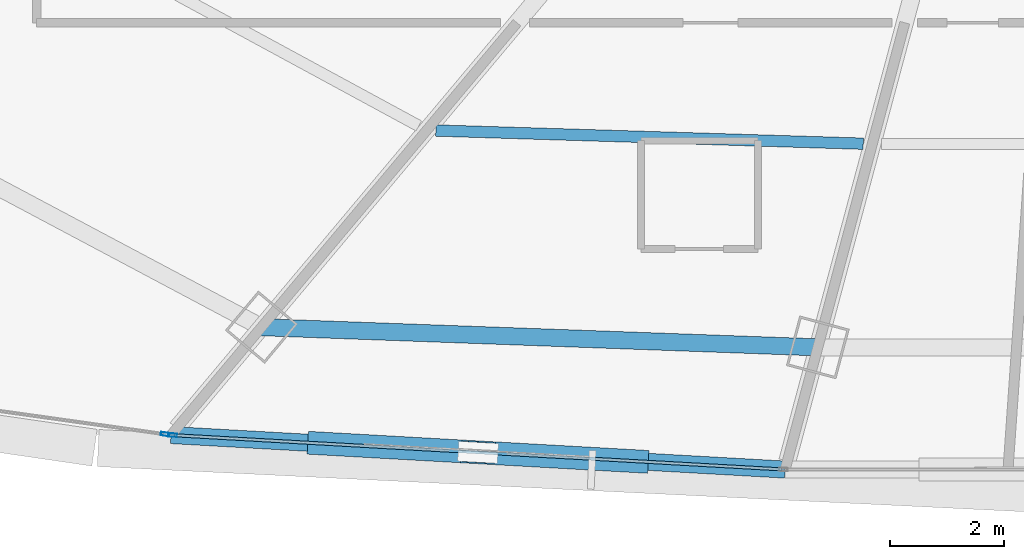
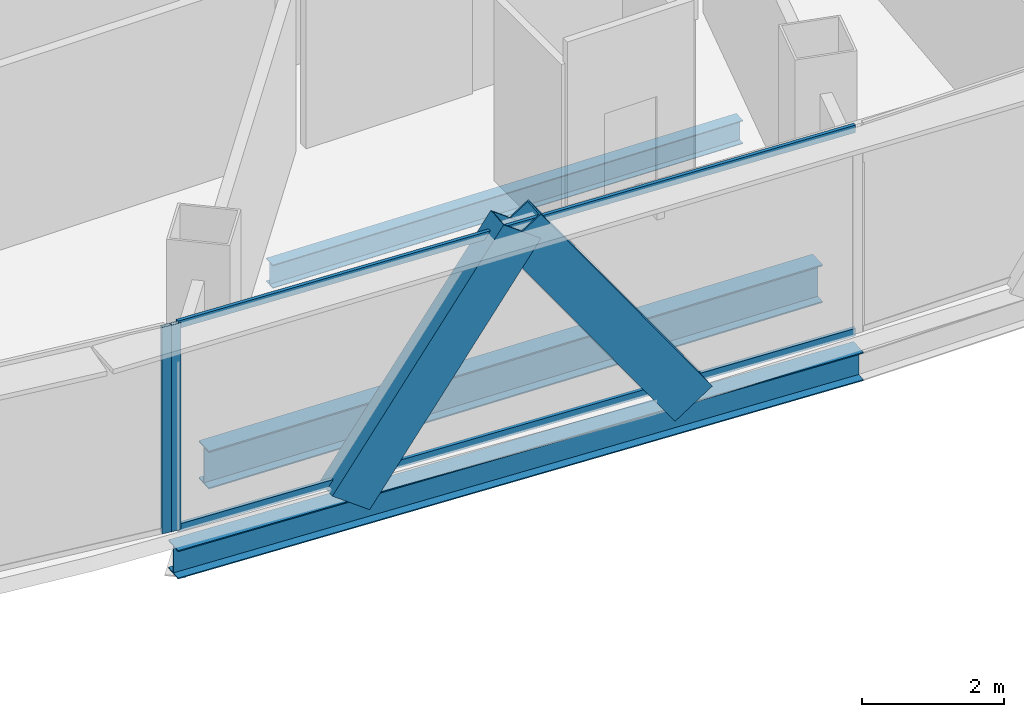
# One storey, part 6 of 40: 6 members, 3 beams, 2 elements without a shape of their own.
"""IFC4 building model written with IfcOpenShell, lengths in metres."""

from ifc_helpers import new_model, si_unit, direction, frame, origin, origin_2d, place, context, subcontext, project, spatial, hollow_rectangle, i_section, extrude, source, transform, mapped, material, layer, layer_set, material_profile, profile_set, type_object, element, aggregate, save


model = new_model("IFC4")

# Units and contexts
model_context = context("Model", 3, precision=1e-05, world=origin(), true_north=direction((0.0, 1.0)))
body_context = subcontext(model_context, "Body", "Model", "MODEL_VIEW")
ifc_project = project(units=[si_unit("LENGTHUNIT", "METRE"), si_unit("AREAUNIT", "SQUARE_METRE"), si_unit("VOLUMEUNIT", "CUBIC_METRE"), si_unit("PLANEANGLEUNIT", "RADIAN"), si_unit("MASSUNIT", "GRAM", prefix="KILO"), si_unit("THERMODYNAMICTEMPERATUREUNIT", "KELVIN"), si_unit("POWERUNIT", "WATT")], contexts=[model_context])

# Site, building, storey
site_placement = place(None, origin())
site = spatial("IfcSite", under=ifc_project, at=site_placement, CompositionType="ELEMENT")
building_placement = place(site_placement, origin())
building = spatial("IfcBuilding", under=site, at=building_placement, Name="Yunzhuo Pagoda Commons", CompositionType="ELEMENT")
storey_placement = place(building_placement, frame((0.0, 0.0, 180.9599609375)))
storey = spatial("IfcBuildingStorey", under=building, at=storey_placement, Name="L45", CompositionType="ELEMENT", Elevation=180.9599609375)

# Beams
ifc_material_1 = material(Name="Structural steel Q355B", Category="steel")
ifc_material_profile_1 = material_profile(ifc_material_1, i_section(OverallWidth=0.300048828125, OverallDepth=0.488037109375, WebThickness=0.010986328125, FlangeThickness=0.01806640625, at=origin_2d()), Name="Structural steel Q355B")
ifc_profile_set_1 = profile_set([ifc_material_profile_1], Name="Structural steel Q355B")
beam_type_1 = type_object("IfcBeamType", Name="B-SP1 Beam HM 488x300x11x18", PredefinedType="BEAM", material=ifc_profile_set_1)
shared_shape_1 = source(origin(), body_context, "Body", "SweptSolid", [
    extrude(i_section(OverallWidth=0.300048828125, OverallDepth=0.488037109375, WebThickness=0.010986328125, FlangeThickness=0.01806640625, at=origin_2d()), origin(), (0.0, 0.0, 1.0), 10.77783203125),
])
beam_1_placement = place(storey_placement, frame((31.95263671875, 14.57568359375, -0.50390625), z_axis=(0.998422062391, -0.056155011631, 0.0), x_axis=(0.056155011631, 0.998422062391, 0.0)))
element("IfcBeam", 1, at=beam_1_placement, inside=storey, type_object=beam_type_1, Name="L45 facade edge spandrel beam F1.1", PredefinedType="BEAM", context=body_context, shape_type="MappedRepresentation", body=[
    mapped(shared_shape_1, transform((0.0, 0.0, 0.0), scale=1.0)),
])
ifc_material_profile_2 = material_profile(ifc_material_1, i_section(OverallWidth=0.300048828125, OverallDepth=0.64990234375, WebThickness=0.012939453125, FlangeThickness=0.02197265625, at=origin_2d()), Name="Structural steel Q355B")
ifc_profile_set_2 = profile_set([ifc_material_profile_2], Name="Structural steel Q355B")
beam_type_2 = type_object("IfcBeamType", Name="B-RG2 Beam HN 650x300x13x22", PredefinedType="BEAM", material=ifc_profile_set_2)
shared_shape_2 = source(origin(), body_context, "Body", "SweptSolid", [
    extrude(i_section(OverallWidth=0.300048828125, OverallDepth=0.64990234375, WebThickness=0.012939453125, FlangeThickness=0.02197265625, at=origin_2d()), origin(), (0.0, 0.0, 1.0), 9.755126953125),
])
beam_2_placement = place(storey_placement, frame((33.538818359375, 16.4658203125, -0.5849609375), z_axis=(0.999343161351, -0.036238734258, 0.0), x_axis=(0.036238734258, 0.999343161351, 0.0)))
element("IfcBeam", 2, at=beam_2_placement, inside=storey, type_object=beam_type_2, Name="L45 column-ring beam 1", PredefinedType="BEAM", context=body_context, shape_type="MappedRepresentation", body=[
    mapped(shared_shape_2, transform((0.0, 0.0, 0.0), scale=1.0)),
])
ifc_material_profile_3 = material_profile(ifc_material_1, i_section(OverallWidth=0.199951171875, OverallDepth=0.39990234375, WebThickness=0.008056640625, FlangeThickness=0.012939453125, at=origin_2d()), Name="Structural steel Q355B")
ifc_profile_set_3 = profile_set([ifc_material_profile_3], Name="Structural steel Q355B")
beam_type_3 = type_object("IfcBeamType", Name="B-JS1 Joist HN 400x200x8x13", PredefinedType="JOIST", material=ifc_profile_set_3)
shared_shape_3 = source(origin(), body_context, "Body", "SweptSolid", [
    extrude(i_section(OverallWidth=0.199951171875, OverallDepth=0.39990234375, WebThickness=0.008056640625, FlangeThickness=0.012939453125, at=origin_2d()), origin(), (0.0, 0.0, 1.0), 7.49365234375),
])
beam_3_placement = place(storey_placement, frame((36.593505859375, 19.911865234375, -0.4599609375), z_axis=(0.99952593018, -0.030788226605, 0.0), x_axis=(0.030788226605, 0.99952593018, 0.0)))
element("IfcBeam", 3, at=beam_3_placement, inside=storey, type_object=beam_type_3, Name="L45 composite ring joist 2.1", PredefinedType="JOIST", context=body_context, shape_type="MappedRepresentation", body=[
    mapped(shared_shape_3, transform((0.0, 0.0, 0.0), scale=1.0)),
])

# Members
ifc_material_profile_4 = material_profile(ifc_material_1, hollow_rectangle(XDim=0.39990234375, YDim=0.719970703125, WallThickness=0.02392578125, at=origin_2d()), Name="Structural steel Q355B")
ifc_profile_set_4 = profile_set([ifc_material_profile_4], Name="Structural steel Q355B")
member_type_1 = type_object("IfcMemberType", Name="M-DL2 Brace BOX 720x400x24", PredefinedType="BRACE", material=ifc_profile_set_4)
shared_shape_4 = source(origin(), body_context, "Body", "SweptSolid", [
    extrude(hollow_rectangle(XDim=0.39990234375, YDim=0.719970703125, WallThickness=0.02392578125, at=origin_2d()), origin(), (0.0, 0.0, 1.0), 4.658447265625),
])
for number, where, z_axis, x_axis, name in (
    (4, (34.642822265625, 14.42431640625, -0.260009765625), (0.577495429788, -0.032493617068, 0.815747015578), (0.056177592441, 0.998420792105, 0.0), "L45 facade diamond brace F1.1L"),
    (5, (40.023193359375, 14.12158203125, -0.260009765625), (-0.577495429788, 0.032493617068, 0.815747015578), (-0.056177592441, -0.998420792105, 0.0), "L45 facade diamond brace F1.1R"),
):
    element("IfcMember", number, at=place(storey_placement, frame(where, z_axis=z_axis, x_axis=x_axis)), inside=storey, type_object=member_type_1, Name=name, PredefinedType="BRACE", context=body_context, shape_type="MappedRepresentation", body=[
        mapped(shared_shape_4, transform((0.0, 0.0, 0.0), scale=1.0)),
    ])

# Curtain wall, member
ifc_material_2 = material(Name="Anodized aluminium 6063-T6", Category="aluminium")
ifc_layer = layer(ifc_material_2, 0.14990234375)
ifc_layer_set = layer_set([ifc_layer], Name="Anodized aluminium 6063-T6")
curtain_wall_type = type_object("IfcCurtainWallType", Name="CW-MID Mid-Zone Ribbon Curtain Wall", PredefinedType="NOTDEFINED", material=ifc_layer_set)
curtain_wall_1_placement = place(storey_placement, origin())
curtain_wall_1 = element("IfcCurtainWall", 6, at=curtain_wall_1_placement, inside=storey, type_object=curtain_wall_type, Name="L45 curtain wall CW-L45-F1B2", PredefinedType="NOTDEFINED")
ifc_material_profile_5 = material_profile(ifc_material_2, hollow_rectangle(XDim=0.06005859375, YDim=0.14990234375, WallThickness=0.00390625, at=origin_2d()), Name="Anodized aluminium 6063-T6")
ifc_profile_set_5 = profile_set([ifc_material_profile_5], Name="Anodized aluminium 6063-T6")
member_type_2 = type_object("IfcMemberType", Name="CW-MID-M Mullion RHS 150x60x4", PredefinedType="MULLION", material=ifc_profile_set_5)
shared_shape_5 = source(origin(), body_context, "Body", "SweptSolid", [
    extrude(hollow_rectangle(XDim=0.06005859375, YDim=0.14990234375, WallThickness=0.00390625, at=origin_2d()), origin(), (0.0, 0.0, 1.0), 3.5400390625),
])
member_1_placement = place(storey_placement, frame((31.982666015625, 14.573974609375, 0.0), z_axis=(0.0, 0.0, 1.0), x_axis=(0.056142665584, 0.998422756702, 0.0)))
member_1 = element("IfcMember", 7, at=member_1_placement, type_object=member_type_2, Name="CW mullion 1", PredefinedType="MULLION", context=body_context, shape_type="MappedRepresentation", body=[
    mapped(shared_shape_5, transform((0.0, 0.0, 0.0), scale=1.0)),
])

curtain_wall_2_placement = place(storey_placement, origin())
curtain_wall_2 = element("IfcCurtainWall", 8, at=curtain_wall_2_placement, inside=storey, type_object=curtain_wall_type, Name="L45 curtain wall CW-L45-F1B1", PredefinedType="NOTDEFINED")
member_2_placement = place(storey_placement, frame((31.8486328125, 14.590087890625, 0.0), z_axis=(0.0, 0.0, 1.0), x_axis=(0.139233100351, 0.990259634524, 0.0)))
member_2 = element("IfcMember", 9, at=member_2_placement, type_object=member_type_2, Name="CW mullion 2", PredefinedType="MULLION", context=body_context, shape_type="MappedRepresentation", body=[
    mapped(shared_shape_5, transform((0.0, 0.0, 0.0), scale=1.0)),
])
aggregate(curtain_wall_2, [member_2])

# Member
ifc_material_profile_6 = material_profile(ifc_material_2, hollow_rectangle(XDim=0.054931640625, YDim=0.1298828125, WallThickness=0.00341796875, at=origin_2d()), Name="Anodized aluminium 6063-T6")
ifc_profile_set_6 = profile_set([ifc_material_profile_6], Name="Anodized aluminium 6063-T6")
member_type_3 = type_object("IfcMemberType", Name="CW-MID-T Transom RHS 130x55x3.5", PredefinedType="USERDEFINED", material=ifc_profile_set_6)
shared_shape_6 = source(origin(), body_context, "Body", "SweptSolid", [
    extrude(hollow_rectangle(XDim=0.054931640625, YDim=0.1298828125, WallThickness=0.00341796875, at=origin_2d()), origin(), (0.0, 0.0, 1.0), 10.658203125),
])
member_3_placement = place(storey_placement, frame((32.012451171875, 14.572265625, 0.027587890625), z_axis=(0.998422700359, -0.056143667575, 0.0), x_axis=(0.056143667575, 0.998422700359, 0.0)))
member_3 = element("IfcMember", 10, at=member_3_placement, type_object=member_type_3, Name="CW transom 1.1", ObjectType="TRANSOM", PredefinedType="USERDEFINED", context=body_context, shape_type="MappedRepresentation", body=[
    mapped(shared_shape_6, transform((0.0, 0.0, 0.0), scale=1.0)),
])

member_4_placement = place(storey_placement, frame((32.012451171875, 14.572265625, 3.512451171875), z_axis=(0.998422700359, -0.056143667575, 0.0), x_axis=(0.056143667575, 0.998422700359, 0.0)))
member_4 = element("IfcMember", 11, at=member_4_placement, type_object=member_type_3, Name="CW transom 1.2", ObjectType="TRANSOM", PredefinedType="USERDEFINED", context=body_context, shape_type="MappedRepresentation", body=[
    mapped(shared_shape_6, transform((0.0, 0.0, 0.0), scale=1.0)),
])

aggregate(curtain_wall_1, [member_1, member_3, member_4])

save(model, "model.ifc")
